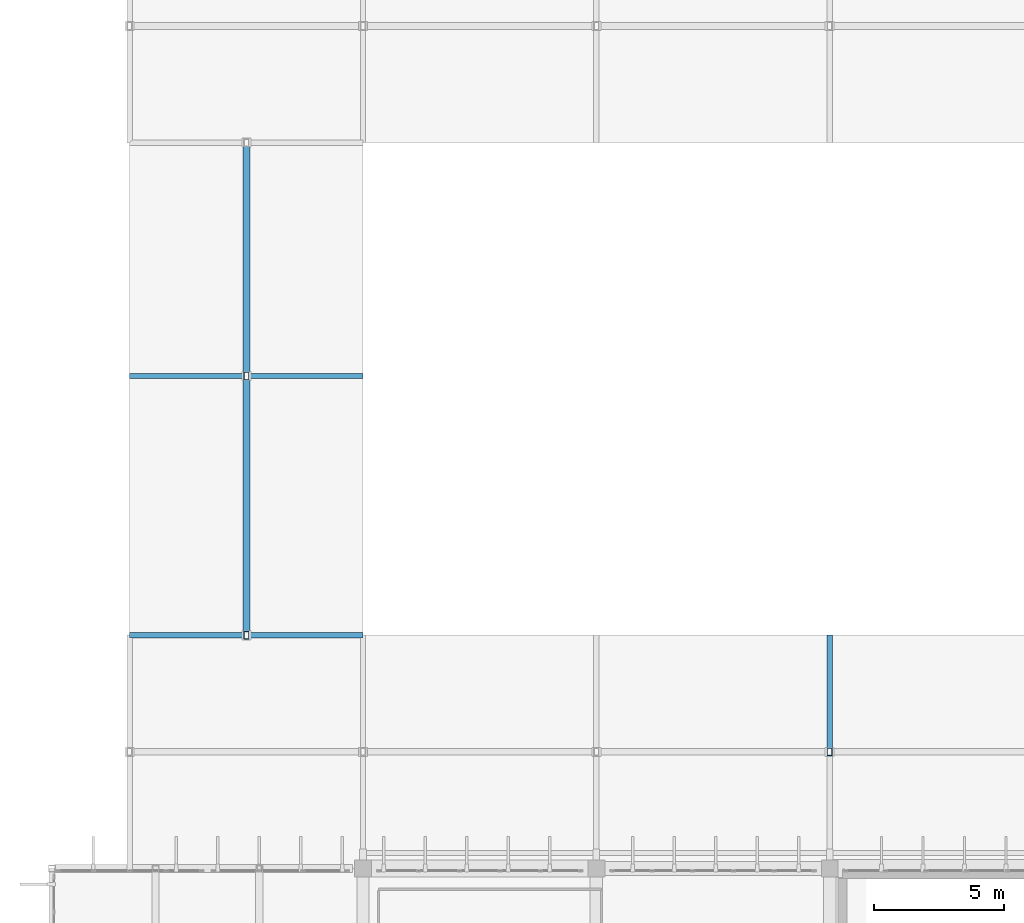
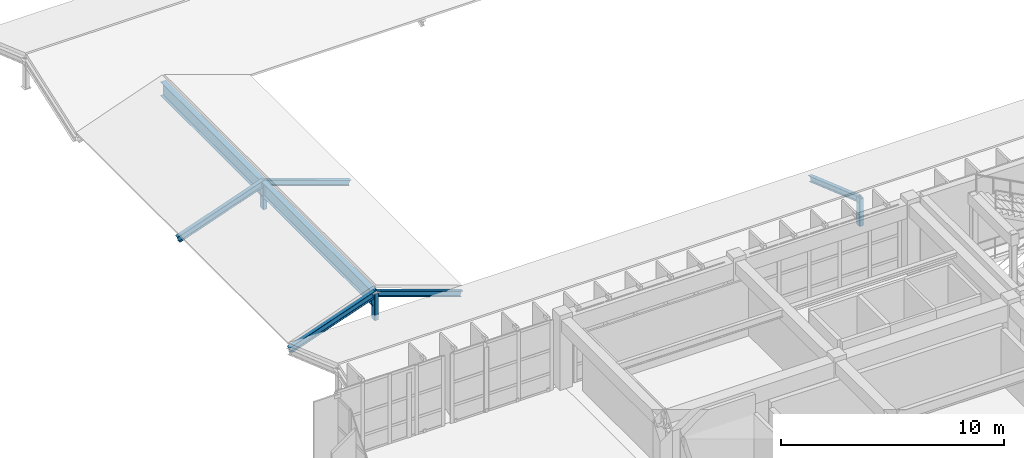
# One storey, part 43 of 80: 8 members, 1 beam.
"""IFC4 building model written with IfcOpenShell, lengths in metres."""

from ifc_helpers import new_model, si_unit, direction, frame, origin, origin_2d, place, context, subcontext, project, spatial, hollow_rectangle, i_section, extrude, material, material_profile, profile_set, type_object, element, save


model = new_model("IFC4")

# Units and contexts
model_context = context("Model", 3, precision=1e-05, world=origin(), true_north=direction((0.0, 1.0)))
body_context = subcontext(model_context, "Body", "Model", "MODEL_VIEW")
ifc_project = project(units=[si_unit("LENGTHUNIT", "METRE"), si_unit("AREAUNIT", "SQUARE_METRE"), si_unit("VOLUMEUNIT", "CUBIC_METRE"), si_unit("PLANEANGLEUNIT", "RADIAN"), si_unit("MASSUNIT", "GRAM", prefix="KILO")], contexts=[model_context])

# Site, building, storey
site_placement = place(None, origin())
site = spatial("IfcSite", under=ifc_project, at=site_placement, CompositionType="ELEMENT")
building_placement = place(site_placement, origin())
building = spatial("IfcBuilding", under=site, at=building_placement, Name="Miravela Opera House", CompositionType="ELEMENT")
storey_placement = place(building_placement, frame((0.0, 0.0, 17.679931640625)))
storey = spatial("IfcBuildingStorey", under=building, at=storey_placement, Name="L04", CompositionType="ELEMENT", Elevation=17.679931640625)

# Beam
ifc_material_1 = material(Name="Structural steel ASTM A992 Gr. 50", Category="steel")
ifc_material_profile_1 = material_profile(ifc_material_1, i_section(OverallWidth=0.26806640625, OverallDepth=0.77001953125, WebThickness=0.015625, FlangeThickness=0.025390625, FilletRadius=0.02001953125, at=origin_2d()), Name="W760X196")
ifc_profile_set_1 = profile_set([ifc_material_profile_1])
beam_type = type_object("IfcBeamType", Name="STR-BM-W760X196", PredefinedType="BEAM", material=ifc_profile_set_1)
beam_placement = place(storey_placement, frame((22.5, 84.0, 0.85498046875), z_axis=(0.0, 1.0, 0.0), x_axis=(-1.0, 0.0, 0.0)))
element("IfcBeam", 1, at=beam_placement, inside=storey, type_object=beam_type, Name="Clay Tile Roof Ridge Beam ROOF-V3-WEST-M", PredefinedType="BEAM", context=body_context, shape_type="SweptSolid", body=[
    extrude(i_section(OverallWidth=0.26806640625, OverallDepth=0.77001953125, WebThickness=0.015625, FlangeThickness=0.025390625, FilletRadius=0.02001953125, at=origin_2d()), origin(), (0.0, 0.0, 1.0), 19.0),
])

# Members
ifc_material_2 = material(Name="Hollow structural steel ASTM A500 Gr. C", Category="steel")
ifc_material_profile_2 = material_profile(ifc_material_2, hollow_rectangle(XDim=0.199951171875, YDim=0.300048828125, WallThickness=0.011962890625, InnerFilletRadius=0.011962890625, OuterFilletRadius=0.02392578125, at=origin_2d()), Name="HSS300X200X12")
ifc_profile_set_2 = profile_set([ifc_material_profile_2])
member_type_1 = type_object("IfcMemberType", Name="STR-MEM-POST-HSS300X200", PredefinedType="POST", material=ifc_profile_set_2)
member_placement = place(storey_placement, frame((45.0, 79.5, -0.25), z_axis=(0.0, 0.0, 1.0), x_axis=(1.0, 0.0, 0.0)))
element("IfcMember", 2, at=member_placement, inside=storey, type_object=member_type_1, Name="Roof Ridge Support Post ROOF-V3-WEST-S M3", PredefinedType="POST", context=body_context, shape_type="SweptSolid", body=[
    extrude(hollow_rectangle(XDim=0.199951171875, YDim=0.300048828125, WallThickness=0.011962890625, InnerFilletRadius=0.011962890625, OuterFilletRadius=0.02392578125, at=origin_2d()), origin(), (0.0, 0.0, 1.0), 1.510009765625),
])
for number, where, z_axis, x_axis, name in (
    (3, (22.5, 84.0, -0.25), (0.0, 0.0, 1.0), (1.0, 0.0, 0.0), "Roof Gable King Post ROOF-V3-WEST-M S"),
    (4, (22.5, 94.0, -0.25), (0.0, 0.0, 1.0), (1.0, 0.0, 0.0), "Roof Ridge Support Post ROOF-V3-WEST-M M1"),
):
    element("IfcMember", number, at=place(storey_placement, frame(where, z_axis=z_axis, x_axis=x_axis)), inside=storey, type_object=member_type_1, Name=name, PredefinedType="POST", context=body_context, shape_type="SweptSolid", body=[
        extrude(hollow_rectangle(XDim=0.199951171875, YDim=0.300048828125, WallThickness=0.011962890625, InnerFilletRadius=0.011962890625, OuterFilletRadius=0.02392578125, at=origin_2d()), origin(), (0.0, 0.0, 1.0), 1.469970703125),
    ])
ifc_material_profile_3 = material_profile(ifc_material_1, i_section(OverallWidth=0.2041015625, OverallDepth=0.35009765625, WebThickness=0.008544921875, FlangeThickness=0.01513671875, FilletRadius=0.013916015625, at=origin_2d()), Name="W360X72")
ifc_profile_set_3 = profile_set([ifc_material_profile_3])
member_type_2 = type_object("IfcMemberType", Name="STR-MEM-RAFTER-1", PredefinedType="RAFTER", material=ifc_profile_set_3)
for number, where, z_axis, x_axis, name in (
    (5, (18.050048828125, 84.0, -0.39990234375), (0.943687918104, 0.0, 0.3308369889), (0.0, 1.0, 0.0), "Pitched Roof Rafter ROOF-V3-WEST-M W0"),
    (6, (18.050048828125, 94.0, -0.39990234375), (0.943687918104, 0.0, 0.3308369889), (0.0, 1.0, 0.0), "Pitched Roof Rafter ROOF-V3-WEST-M W1"),
):
    element("IfcMember", number, at=place(storey_placement, frame(where, z_axis=z_axis, x_axis=x_axis)), inside=storey, type_object=member_type_2, Name=name, PredefinedType="RAFTER", context=body_context, shape_type="SweptSolid", body=[
        extrude(i_section(OverallWidth=0.2041015625, OverallDepth=0.35009765625, WebThickness=0.008544921875, FlangeThickness=0.01513671875, FilletRadius=0.013916015625, at=origin_2d()), origin(), (0.0, 0.0, 1.0), 4.715576171875),
    ])
ifc_material_profile_4 = material_profile(ifc_material_1, i_section(OverallWidth=0.202880859375, OverallDepth=0.302978515625, WebThickness=0.007568359375, FlangeThickness=0.01318359375, FilletRadius=0.012939453125, at=origin_2d()), Name="W310X60")
ifc_profile_set_4 = profile_set([ifc_material_profile_4])
member_type_3 = type_object("IfcMemberType", Name="STR-MEM-RAFTER-2", PredefinedType="RAFTER", material=ifc_profile_set_4)
for number, where, z_axis, x_axis, name in (
    (7, (45.0, 83.949951171875, -0.39990234375), (0.0, -0.943687918104, 0.3308369889), (1.0, 0.0, 0.0), "Pitched Roof Rafter ROOF-V3-WEST-S N3"),
    (8, (26.949951171875, 84.0, -0.39990234375), (-0.943687918104, 0.0, 0.3308369889), (0.0, -1.0, 0.0), "Pitched Roof Rafter ROOF-V3-WEST-M E0"),
    (9, (26.949951171875, 94.0, -0.39990234375), (-0.943687918104, 0.0, 0.3308369889), (0.0, -1.0, 0.0), "Pitched Roof Rafter ROOF-V3-WEST-M E1"),
):
    element("IfcMember", number, at=place(storey_placement, frame(where, z_axis=z_axis, x_axis=x_axis)), inside=storey, type_object=member_type_3, Name=name, PredefinedType="RAFTER", context=body_context, shape_type="SweptSolid", body=[
        extrude(i_section(OverallWidth=0.202880859375, OverallDepth=0.302978515625, WebThickness=0.007568359375, FlangeThickness=0.01318359375, FilletRadius=0.012939453125, at=origin_2d()), origin(), (0.0, 0.0, 1.0), 4.715576171875),
    ])

save(model, "model.ifc")
